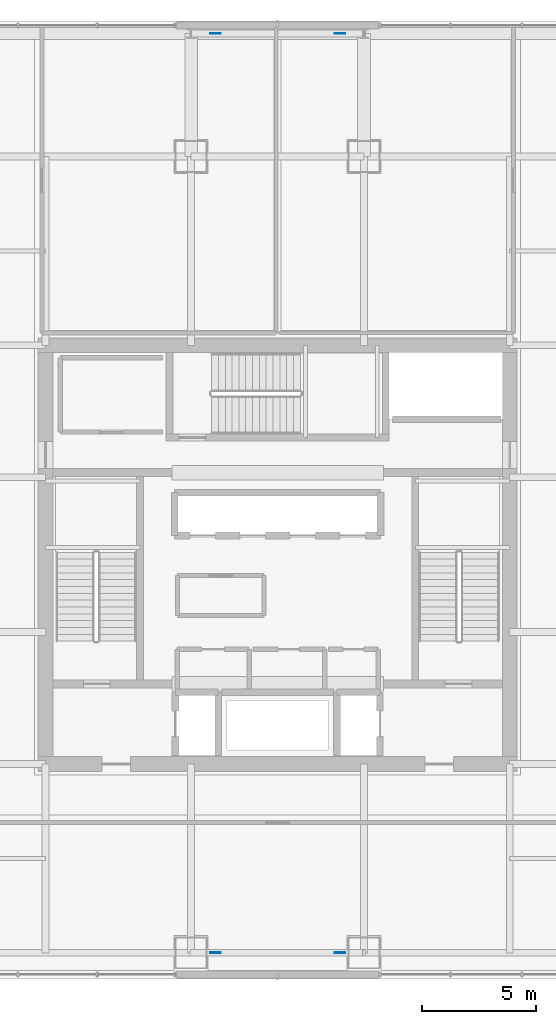
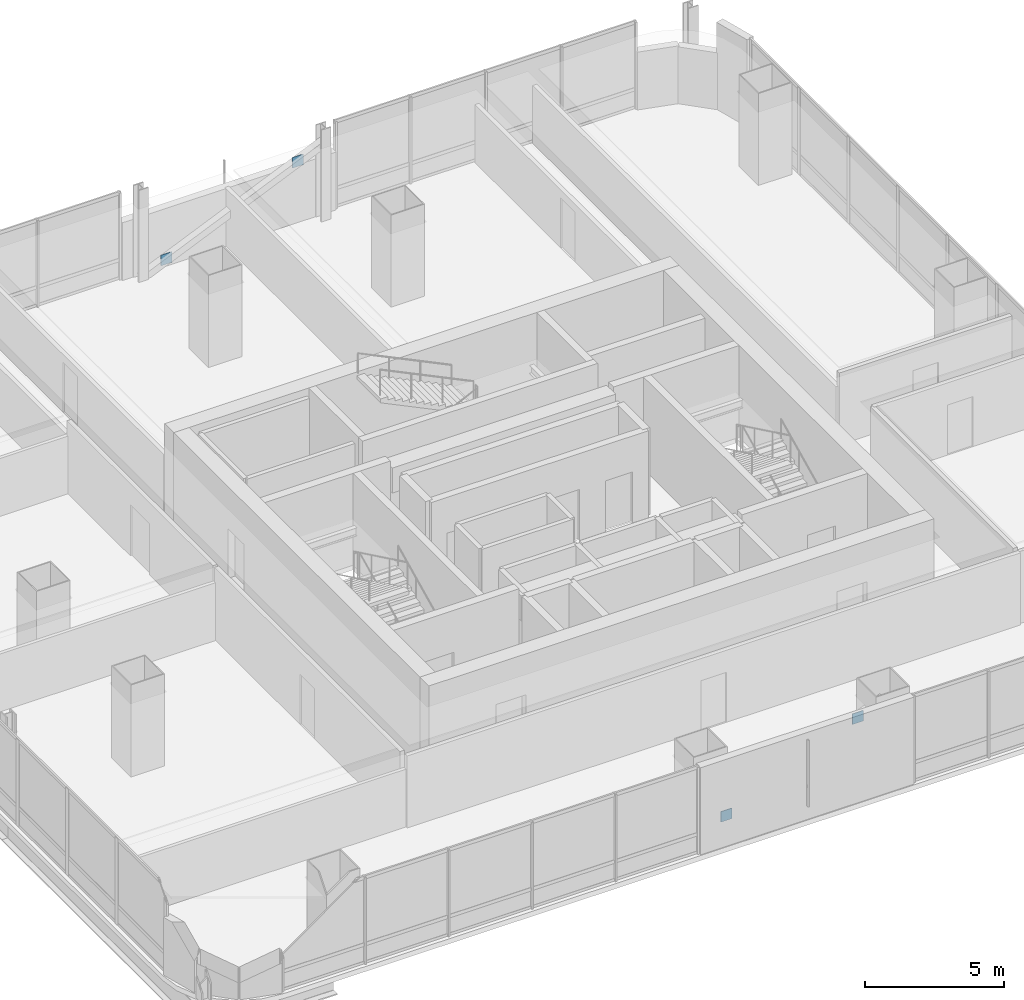
# One storey, part 28 of 38: 4 plates.
"""IFC4 building model written with IfcOpenShell, lengths in metres."""

from ifc_helpers import new_model, si_unit, direction, frame, origin, origin_2d, place, context, subcontext, project, spatial, rectangle, extrude, material, layer, layer_set, type_object, element, save


model = new_model("IFC4")

# Units and contexts
model_context = context("Model", 3, precision=1e-05, world=origin(), true_north=direction((0.0, 1.0)))
body_context = subcontext(model_context, "Body", "Model", "MODEL_VIEW")
ifc_project = project(units=[si_unit("LENGTHUNIT", "METRE"), si_unit("AREAUNIT", "SQUARE_METRE"), si_unit("VOLUMEUNIT", "CUBIC_METRE"), si_unit("PLANEANGLEUNIT", "RADIAN"), si_unit("MASSUNIT", "GRAM", prefix="KILO")], contexts=[model_context])

# Site, building, storey
site_placement = place(None, origin())
site = spatial("IfcSite", under=ifc_project, at=site_placement, CompositionType="ELEMENT")
building_placement = place(site_placement, origin())
building = spatial("IfcBuilding", under=site, at=building_placement, Name="Punatoya Terracotta Tower", CompositionType="ELEMENT")
storey_placement = place(building_placement, frame((0.0, 0.0, 156.0)))
storey = spatial("IfcBuildingStorey", under=building, at=storey_placement, Name="L36", CompositionType="ELEMENT", Elevation=156.0)

# Plates
ifc_material = material(Name="Steel S460", Category="steel")
ifc_layer = layer(ifc_material, 0.031982421875)
ifc_layer_set = layer_set([ifc_layer], Name="Steel S460")
plate_type = type_object("IfcPlateType", Name="PLT-END-32", PredefinedType="USERDEFINED", material=ifc_layer_set)
for number, where, z_axis, x_axis, name in (
    (1, (-2.736083984375, -17.5, 0.25341796875), (0.0, 0.0, 1.0), (1.0, 0.0, 0.0), "L36 Wind Brace S2 End Plate 1"),
    (2, (2.736083984375, -17.5, 2.63671875), (0.0, 0.0, 1.0), (1.0, 0.0, 0.0), "L36 Wind Brace S2 End Plate 2"),
    (3, (-2.736083984375, 22.89990234375, 0.25341796875), (0.0, 0.0, 1.0), (1.0, 0.0, 0.0), "L36 Wind Brace N2 End Plate 1"),
    (4, (2.736083984375, 22.89990234375, 2.63671875), (0.0, 0.0, 1.0), (1.0, 0.0, 0.0), "L36 Wind Brace N2 End Plate 2"),
):
    element("IfcPlate", number, at=place(storey_placement, frame(where, z_axis=z_axis, x_axis=x_axis)), inside=storey, type_object=plate_type, Name=name, ObjectType="FLANGE_PLATE", PredefinedType="USERDEFINED", context=body_context, shape_type="SweptSolid", body=[
        extrude(rectangle(XDim=0.4599609375, YDim=0.031982421875, at=origin_2d()), origin(), (0.0, 0.0, 1.0), 0.4599609375),
    ])

save(model, "model.ifc")
